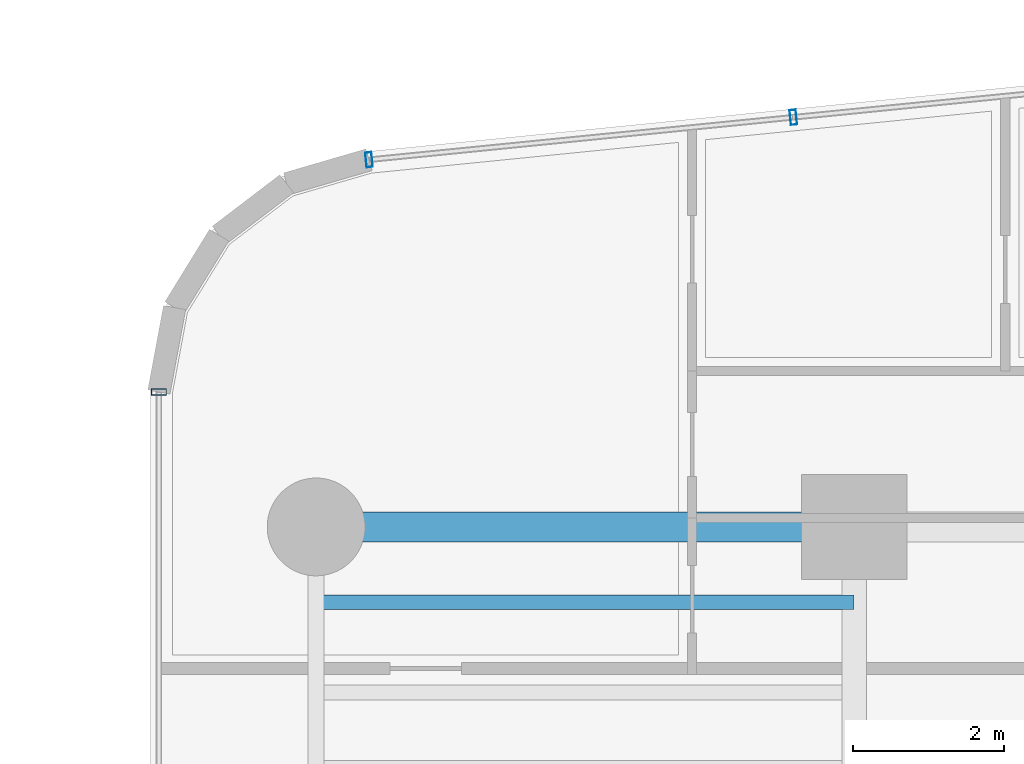
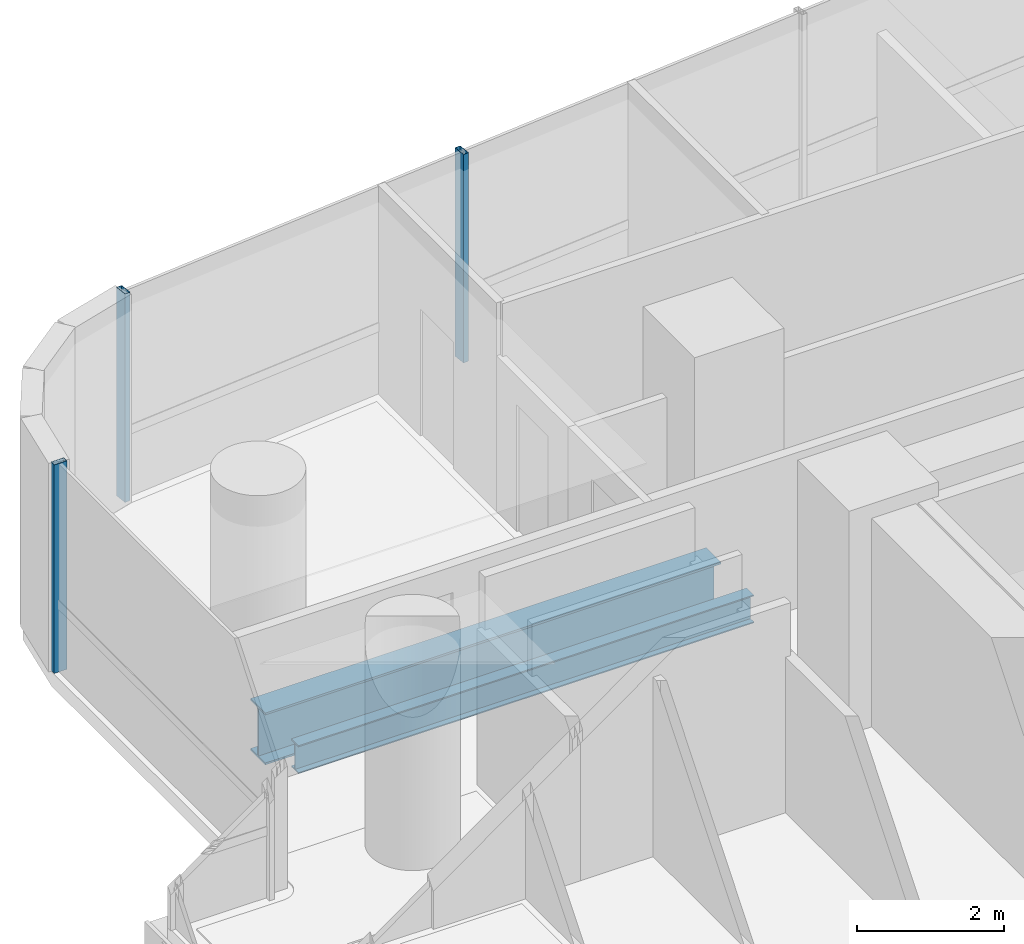
# One storey, part 17 of 40: 3 members, 2 beams, 2 elements without a shape of their own.
"""IFC4 building model written with IfcOpenShell, lengths in metres."""

from ifc_helpers import new_model, si_unit, direction, frame, origin, origin_2d, place, context, subcontext, project, spatial, hollow_rectangle, i_section, extrude, source, transform, mapped, material, material_profile, profile_set, type_object, element, aggregate, save


model = new_model("IFC4")

# Units and contexts
model_context = context("Model", 3, precision=1e-05, world=origin(), true_north=direction((0.0, 1.0)))
body_context = subcontext(model_context, "Body", "Model", "MODEL_VIEW")
ifc_project = project(units=[si_unit("LENGTHUNIT", "METRE"), si_unit("AREAUNIT", "SQUARE_METRE"), si_unit("VOLUMEUNIT", "CUBIC_METRE"), si_unit("PLANEANGLEUNIT", "RADIAN"), si_unit("MASSUNIT", "GRAM", prefix="KILO")], contexts=[model_context])

# Site, building, storey
site_placement = place(None, origin())
site = spatial("IfcSite", under=ifc_project, at=site_placement, CompositionType="ELEMENT")
building_placement = place(site_placement, origin())
building = spatial("IfcBuilding", under=site, at=building_placement, Name="Valdorenza Pilgrim Sanctuary Tower", CompositionType="ELEMENT")
storey_placement = place(building_placement, frame((0.0, 0.0, 44.5)))
storey = spatial("IfcBuildingStorey", under=building, at=storey_placement, Name="L10", CompositionType="ELEMENT", Elevation=44.5)

# Beams
ifc_material_1 = material(Name="Steel ASTM A992 Grade 50", Category="steel")
ifc_material_profile_1 = material_profile(ifc_material_1, i_section(OverallWidth=0.193115234375, OverallDepth=0.466064453125, WebThickness=0.011474609375, FlangeThickness=0.01904296875, at=origin_2d()), Name="W18X65")
ifc_profile_set_1 = profile_set([ifc_material_profile_1], Name="Steel ASTM A992 Grade 50")
beam_type_1 = type_object("IfcBeamType", Name="STR-BM-JST-W18A", PredefinedType="JOIST", material=ifc_profile_set_1)
shared_shape_1 = source(origin(), body_context, "Body", "SweptSolid", [
    extrude(i_section(OverallWidth=0.193115234375, OverallDepth=0.466064453125, WebThickness=0.011474609375, FlangeThickness=0.01904296875, at=origin_2d()), origin(), (0.0, 0.0, 1.0), 7.150146484375),
])
beam_1_placement = place(storey_placement, frame((-29.800048828125, 13.800048828125, -0.472900390625), z_axis=(1.0, 0.0, 0.0), x_axis=(0.0, 1.0, 0.0)))
element("IfcBeam", 1, at=beam_1_placement, inside=storey, type_object=beam_type_1, Name="L10 Composite Floor Joist JST-WA-26", PredefinedType="JOIST", context=body_context, shape_type="MappedRepresentation", body=[
    mapped(shared_shape_1, transform((0.0, 0.0, 0.0), x_axis=(1.0, 0.0, 0.0), y_axis=(0.0, 1.0, 0.0), z_axis=(0.0, 0.0, 1.0), scale=1.0)),
])
ifc_material_profile_2 = material_profile(ifc_material_1, i_section(OverallWidth=0.39990234375, OverallDepth=0.862060546875, WebThickness=0.019775390625, FlangeThickness=0.032470703125, at=origin_2d()), Name="W33X221")
ifc_profile_set_2 = profile_set([ifc_material_profile_2], Name="Steel ASTM A992 Grade 50")
beam_type_2 = type_object("IfcBeamType", Name="STR-BM-GRD-W33", PredefinedType="BEAM", material=ifc_profile_set_2)
shared_shape_2 = source(origin(), body_context, "Body", "SweptSolid", [
    extrude(i_section(OverallWidth=0.39990234375, OverallDepth=0.862060546875, WebThickness=0.019775390625, FlangeThickness=0.032470703125, at=origin_2d()), origin(), (0.0, 0.0, 1.0), 7.150146484375),
])
beam_2_placement = place(storey_placement, frame((-29.800048828125, 14.800048828125, -0.6708984375), z_axis=(1.0, 0.0, 0.0), x_axis=(0.0, 1.0, 0.0)))
element("IfcBeam", 2, at=beam_2_placement, inside=storey, type_object=beam_type_2, Name="L10 Floor Girder WA-XW-N2", PredefinedType="BEAM", context=body_context, shape_type="MappedRepresentation", body=[
    mapped(shared_shape_2, transform((0.0, 0.0, 0.0), x_axis=(1.0, 0.0, 0.0), y_axis=(0.0, 1.0, 0.0), z_axis=(0.0, 0.0, 1.0), scale=1.0)),
])

# Curtain wall, member
ifc_material_2 = material(Name="Curtain-wall IGU glazing", Category="glass")
curtain_wall_type = type_object("IfcCurtainWallType", Name="CW-SYS-02", PredefinedType="NOTDEFINED", material=ifc_material_2)
curtain_wall_1_placement = place(storey_placement, origin())
curtain_wall_1 = element("IfcCurtainWall", 3, at=curtain_wall_1_placement, inside=storey, type_object=curtain_wall_type, Name="L10 Curtain Wall CW-L10-1-1S2", PredefinedType="NOTDEFINED")
ifc_material_3 = material(Name="Anodised aluminium AW-6060", Category="aluminium")
ifc_material_profile_3 = material_profile(ifc_material_3, hollow_rectangle(XDim=0.0849609375, YDim=0.199951171875, WallThickness=0.0048828125, at=origin_2d()), Name="ALU-M 200x85x5")
ifc_profile_set_3 = profile_set([ifc_material_profile_3], Name="Anodised aluminium AW-6060")
member_type = type_object("IfcMemberType", Name="CW-MUL-02", PredefinedType="MULLION", material=ifc_profile_set_3)
shared_shape_3 = source(origin(), body_context, "Body", "SweptSolid", [
    extrude(hollow_rectangle(XDim=0.0849609375, YDim=0.199951171875, WallThickness=0.0048828125, at=origin_2d()), origin(), (0.0, 0.0, 1.0), 3.4599609375),
])
member_1_placement = place(storey_placement, frame((-31.889892578125, 16.593994140625, 0.0), z_axis=(0.0, 0.0, 1.0), x_axis=(0.0, 1.0, 0.0)))
member_1 = element("IfcMember", 4, at=member_1_placement, type_object=member_type, Name="CW-L10-1-1S2 Mullion 2", PredefinedType="MULLION", context=body_context, shape_type="MappedRepresentation", body=[
    mapped(shared_shape_3, transform((0.0, 0.0, 0.0), x_axis=(1.0, 0.0, 0.0), y_axis=(0.0, 1.0, 0.0), z_axis=(0.0, 0.0, 1.0), scale=1.0)),
])
aggregate(curtain_wall_1, [member_1])

# Curtain wall, members
curtain_wall_2_placement = place(storey_placement, origin())
curtain_wall_2 = element("IfcCurtainWall", 5, at=curtain_wall_2_placement, inside=storey, type_object=curtain_wall_type, Name="L10 Curtain Wall CW-L10-1-6", PredefinedType="NOTDEFINED")
member_2_placement = place(storey_placement, frame((-29.097412109375, 19.6796875, 0.0), z_axis=(0.0, 0.0, 1.0), x_axis=(0.995038220239, 0.099493418189, 0.0)))
member_2 = element("IfcMember", 6, at=member_2_placement, type_object=member_type, Name="CW-L10-1-6 Mullion 1", PredefinedType="MULLION", context=body_context, shape_type="MappedRepresentation", body=[
    mapped(shared_shape_3, transform((0.0, 0.0, 0.0), x_axis=(1.0, 0.0, 0.0), y_axis=(0.0, 1.0, 0.0), z_axis=(0.0, 0.0, 1.0), scale=1.0)),
])
member_3_placement = place(storey_placement, frame((-23.458984375, 20.24365234375, 0.0), z_axis=(0.0, 0.0, 1.0), x_axis=(0.995038220239, 0.099493418189, 0.0)))
member_3 = element("IfcMember", 7, at=member_3_placement, type_object=member_type, Name="CW-L10-1-6 Mullion 2", PredefinedType="MULLION", context=body_context, shape_type="MappedRepresentation", body=[
    mapped(shared_shape_3, transform((0.0, 0.0, 0.0), x_axis=(1.0, 0.0, 0.0), y_axis=(0.0, 1.0, 0.0), z_axis=(0.0, 0.0, 1.0), scale=1.0)),
])
aggregate(curtain_wall_2, [member_2, member_3])

save(model, "model.ifc")
